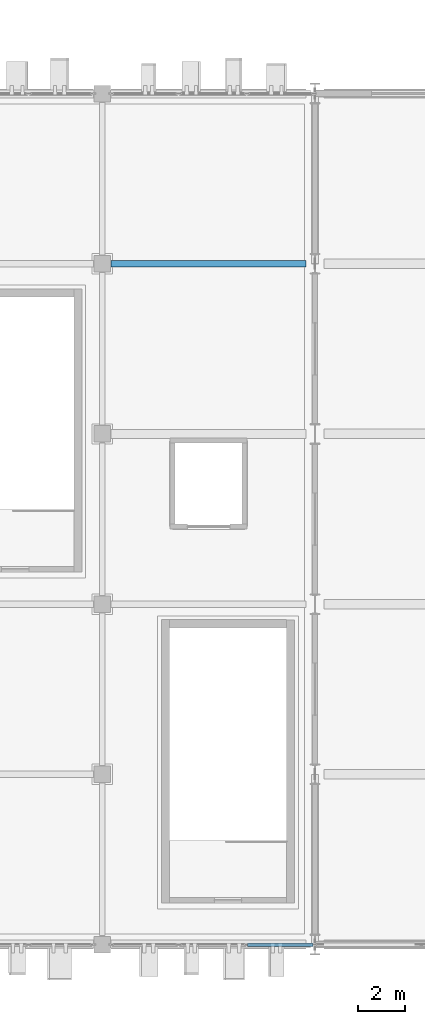
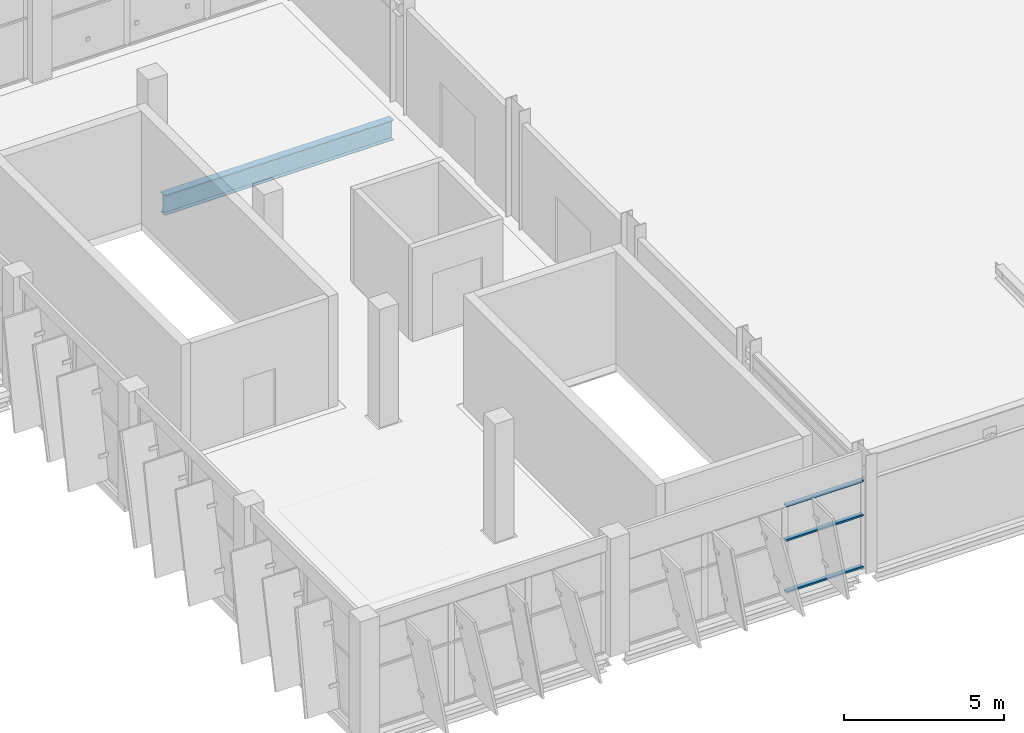
# One storey, part 40 of 151: 3 members, 1 beam, 1 element without a shape of its own.
"""IFC4 building model written with IfcOpenShell, lengths in metres."""

import ifcopenshell
import ifcopenshell.guid

model = None  # the IFC model being written
_history = None  # IfcOwnerHistory: only IFC2X3 demands one
_inside = {}  # id of a spatial element -> (the spatial element, [elements in it])
_under = {}  # id of a project, library or spatial element -> (it, [spatial elements below it])
_declared = {}  # id of a project -> (the project, [libraries it declares])
_typed = {}  # id of a type object -> (the type object, [elements of that type])
_made_of = {}  # id of a material, layer set ... -> (it, [elements and type objects made of it])


def new_model(schema):
    """Start an empty IFC model of exactly this schema.

    Asked for "IFC4X3", IfcOpenShell would pick the latest addendum, in which some entities
    have other attributes; the version numbers below select the first issue.
    IFC2X3 requires an IfcOwnerHistory on every rooted entity: one is made here for all.
    """
    global model, _history
    if schema == "IFC4X3":
        model = ifcopenshell.file(schema_version=(4, 3, 0, 0))
    else:
        model = ifcopenshell.file(schema=schema)
    _inside.clear()
    _under.clear()
    _declared.clear()
    _typed.clear()
    _made_of.clear()
    _history = None
    if model.schema == "IFC2X3":
        org = make("IfcOrganization", Name="unknown")
        user = make(
            "IfcPersonAndOrganization",
            ThePerson=make("IfcPerson", FamilyName="unknown"),
            TheOrganization=org,
        )
        app = make(
            "IfcApplication",
            ApplicationDeveloper=org,
            Version="unknown",
            ApplicationFullName="unknown",
            ApplicationIdentifier="unknown",
        )
        _history = make(
            "IfcOwnerHistory",
            OwningUser=user,
            OwningApplication=app,
            ChangeAction="ADDED",
            CreationDate=0,
        )
    return model


def make(cls, **values):
    """One entity of the class cls with the attributes given. An attribute that is None is left unset."""
    return model.create_entity(
        cls, **{name: value for name, value in values.items() if value is not None}
    )


def rooted(cls, **values):
    """An entity with a GlobalId (a new one), such as an element, a storey or a relation."""
    return make(cls, GlobalId=ifcopenshell.guid.new(), OwnerHistory=_history, **values)


def si_unit(unit_type, name, prefix=None):
    """IfcSIUnit, for example si_unit("LENGTHUNIT", "METRE", prefix="MILLI")."""
    return make("IfcSIUnit", UnitType=unit_type, Prefix=prefix, Name=name)


def assignment(units):
    """IfcUnitAssignment: the units of a project."""
    return None if units is None else make("IfcUnitAssignment", Units=units)


def point(xyz):
    """IfcCartesianPoint."""
    return None if xyz is None else make("IfcCartesianPoint", Coordinates=xyz)


def direction(xyz):
    """IfcDirection."""
    return None if xyz is None else make("IfcDirection", DirectionRatios=xyz)


def frame(location, z_axis=None, x_axis=None):
    """IfcAxis2Placement3D, a coordinate frame: its origin and axes. An axis left out is left unset."""
    return make(
        "IfcAxis2Placement3D",
        Location=point(location),
        Axis=direction(z_axis),
        RefDirection=direction(x_axis),
    )


def frame_2d(location, x_axis=None):
    """IfcAxis2Placement2D, a coordinate frame in the plane: its origin and x axis."""
    return make(
        "IfcAxis2Placement2D", Location=point(location), RefDirection=direction(x_axis)
    )


def origin():
    """The frame at (0, 0, 0) with its axes left unset."""
    return frame((0.0, 0.0, 0.0))


def origin_2d():
    """The frame at (0, 0) in the plane with its x axis left unset."""
    return frame_2d((0.0, 0.0))


def place(relative_to, where):
    """IfcLocalPlacement: puts the frame where relative to a parent placement (None: the world)."""
    return make(
        "IfcLocalPlacement", PlacementRelTo=relative_to, RelativePlacement=where
    )


def context(
    kind, dimensions, precision=None, world=None, true_north=None, identifier=None
):
    """IfcGeometricRepresentationContext, for example the 3D "Model" context."""
    return make(
        "IfcGeometricRepresentationContext",
        ContextIdentifier=identifier,
        ContextType=kind,
        CoordinateSpaceDimension=dimensions,
        Precision=precision,
        WorldCoordinateSystem=world,
        TrueNorth=true_north,
    )


def subcontext(parent, identifier, kind, view, scale=None):
    """IfcGeometricRepresentationSubContext, for example "Body" below "Model"."""
    return make(
        "IfcGeometricRepresentationSubContext",
        ContextIdentifier=identifier,
        ContextType=kind,
        ParentContext=parent,
        TargetScale=scale,
        TargetView=view,
    )


def project(units=None, contexts=None):
    """IfcProject with its units and contexts."""
    return rooted(
        "IfcProject",
        Name="project",
        RepresentationContexts=contexts,
        UnitsInContext=assignment(units),
    )


def spatial(cls, under=None, at=None, **own):
    """A site, building, storey or space (cls), placed at a placement, below another one or the project."""
    s = rooted(cls, ObjectPlacement=at, **own)
    if under is not None:
        _under.setdefault(under.id(), (under, []))[1].append(s)
    return s


def profile(cls, at=None, kind="AREA", **sizes):
    """A parametric profile (cls). Its sizes go by their IFC names, for example OverallWidth=200.0."""
    return make(cls, ProfileType=kind, Position=at, **sizes)


def hollow_rectangle(**sizes):
    """IfcRectangleHollowProfileDef."""
    return profile("IfcRectangleHollowProfileDef", **sizes)


def i_section(**sizes):
    """IfcIShapeProfileDef."""
    return profile("IfcIShapeProfileDef", **sizes)


def extrude(swept, where, along, depth):
    """IfcExtrudedAreaSolid: the profile swept, set in the frame where, extruded along a direction by depth."""
    return make(
        "IfcExtrudedAreaSolid",
        SweptArea=swept,
        Position=where,
        ExtrudedDirection=direction(along),
        Depth=depth,
    )


def shape(context_of_items, identifier, shape_type, items):
    """IfcShapeRepresentation: the items that make up one representation, for example the "Body"."""
    return make(
        "IfcShapeRepresentation",
        ContextOfItems=context_of_items,
        RepresentationIdentifier=identifier,
        RepresentationType=shape_type,
        Items=items,
    )


def material(Name=None, Category=None):
    """IfcMaterial."""
    return make("IfcMaterial", Name=Name, Category=Category)


def layer(
    of_material, thickness, ventilated=None, Name=None, Category=None, Priority=None
):
    """IfcMaterialLayer: one layer of a wall or slab, of a material (None: an air gap)."""
    return make(
        "IfcMaterialLayer",
        Material=of_material,
        LayerThickness=thickness,
        IsVentilated=ventilated,
        Name=Name,
        Category=Category,
        Priority=Priority,
    )


def layer_set(layers, Name=None):
    """IfcMaterialLayerSet."""
    return make("IfcMaterialLayerSet", MaterialLayers=layers, LayerSetName=Name)


def material_profile(
    of_material, cross_section, Name=None, Category=None, Priority=None
):
    """IfcMaterialProfile: a cross section and its material."""
    return make(
        "IfcMaterialProfile",
        Name=Name,
        Material=of_material,
        Profile=cross_section,
        Priority=Priority,
        Category=Category,
    )


def profile_set(profiles, Name=None, composite=None):
    """IfcMaterialProfileSet."""
    return make(
        "IfcMaterialProfileSet",
        Name=Name,
        MaterialProfiles=profiles,
        CompositeProfile=composite,
    )


def made_of(thing, what):
    """Note that an element or type object is made of a material, layer set ...; save() writes the relation."""
    if what is not None:
        _made_of.setdefault(what.id(), (what, []))[1].append(thing)
    return thing


def type_object(cls, material=None, **own):
    """A type object (cls), such as IfcWallType, which elements share."""
    return made_of(rooted(cls, **own), material)


def element(
    cls,
    number,
    at=None,
    inside=None,
    cuts=None,
    type_object=None,
    material=None,
    context=None,
    identifier="Body",
    shape_type=None,
    held_by="IfcProductDefinitionShape",
    body=None,
    shapes=None,
    **own,
):
    """One element of the class cls, such as IfcWall. Its Tag is "e" and its number.

    at: its placement. inside: the storey or other place that contains it. cuts: it is an
    opening in that element (IfcRelVoidsElement). A single representation is given by context,
    identifier, shape_type and body (its items); several are given by shapes. held_by: the class
    of the entity that holds the representations. save() writes the other relations.
    """
    e = rooted(cls, Tag="e%d" % number, ObjectPlacement=at, **own)
    if body is not None:
        shapes = [shape(context, identifier, shape_type, body)]
    if shapes is not None:
        e.Representation = make(held_by, Representations=shapes)
    if inside is not None:
        _inside.setdefault(inside.id(), (inside, []))[1].append(e)
    if cuts is not None:
        rooted(
            "IfcRelVoidsElement", RelatingBuildingElement=cuts, RelatedOpeningElement=e
        )
    if type_object is not None:
        _typed.setdefault(type_object.id(), (type_object, []))[1].append(e)
    return made_of(e, material)


def aggregate(whole, parts):
    """IfcRelAggregates: a whole, such as a stair, and the parts it consists of."""
    return rooted("IfcRelAggregates", RelatingObject=whole, RelatedObjects=parts)


def save(model, path):
    """Write the relations noted so far, then the file.

    IfcRelAggregates (storeys below a building ...), IfcRelContainedInSpatialStructure (elements
    in a storey), IfcRelDefinesByType, IfcRelAssociatesMaterial and IfcRelDeclares: one each for
    every whole, place, type object, material and project.
    """
    for whole, parts in _under.values():
        aggregate(whole, parts)
    for where, things in _inside.values():
        rooted(
            "IfcRelContainedInSpatialStructure",
            RelatedElements=things,
            RelatingStructure=where,
        )
    for kind, things in _typed.values():
        rooted("IfcRelDefinesByType", RelatedObjects=things, RelatingType=kind)
    for what, things in _made_of.values():
        rooted("IfcRelAssociatesMaterial", RelatedObjects=things, RelatingMaterial=what)
    for by, libraries in _declared.values():
        rooted("IfcRelDeclares", RelatingContext=by, RelatedDefinitions=libraries)
    model.write(path)


model = new_model("IFC4")

# Units and contexts
model_context = context("Model", 3, precision=1e-05, world=origin(), true_north=direction((0.0, 1.0)))
body_context = subcontext(model_context, "Body", "Model", "MODEL_VIEW")
ifc_project = project(units=[si_unit("LENGTHUNIT", "METRE"), si_unit("AREAUNIT", "SQUARE_METRE"), si_unit("VOLUMEUNIT", "CUBIC_METRE"), si_unit("PLANEANGLEUNIT", "RADIAN"), si_unit("MASSUNIT", "GRAM", prefix="KILO")], contexts=[model_context])

# Site, building, storey
site_placement = place(None, origin())
site = spatial("IfcSite", under=ifc_project, at=site_placement, CompositionType="ELEMENT")
building_placement = place(site_placement, origin())
building = spatial("IfcBuilding", under=site, at=building_placement, Name="Celestram Park Convention Centre", CompositionType="ELEMENT")
storey_placement = place(building_placement, frame((0.0, 0.0, 10.800048828125)))
storey = spatial("IfcBuildingStorey", under=building, at=storey_placement, Name="L02", CompositionType="ELEMENT", Elevation=10.800048828125)

# Curtain wall, members
ifc_material_1 = material(Name="Anodised Aluminium Alloy 6063-T6", Category="aluminium")
ifc_layer = layer(ifc_material_1, 0.179931640625)
ifc_layer_set = layer_set([ifc_layer], Name="Anodised Aluminium Alloy 6063-T6")
curtain_wall_type = type_object("IfcCurtainWallType", Name="ARC-CW-864X334", PredefinedType="NOTDEFINED", material=ifc_layer_set)
curtain_wall_placement = place(storey_placement, origin())
curtain_wall = element("IfcCurtainWall", 1, at=curtain_wall_placement, inside=storey, type_object=curtain_wall_type, Name="Unitised curtain wall CU-L02-137", PredefinedType="NOTDEFINED")
ifc_material_profile_1 = material_profile(ifc_material_1, hollow_rectangle(XDim=0.14990234375, YDim=0.06494140625, WallThickness=0.0029296875, at=origin_2d()), Name="ALU150X65X3")
ifc_profile_set_1 = profile_set([ifc_material_profile_1], Name="Anodised Aluminium Alloy 6063-T6")
member_type = type_object("IfcMemberType", Name="ARC-CWT-150", PredefinedType="USERDEFINED", material=ifc_profile_set_1)
member_1_placement = place(storey_placement, frame((161.91796875, 0.0, 0.032470703125), z_axis=(-1.0, 0.0, 0.0), x_axis=(0.0, -1.0, 0.0)))
member_1 = element("IfcMember", 2, at=member_1_placement, type_object=member_type, Name="CW-86X33 transom 1.1", ObjectType="TRANSOM", PredefinedType="USERDEFINED", context=body_context, shape_type="SweptSolid", body=[
    extrude(hollow_rectangle(XDim=0.14990234375, YDim=0.06494140625, WallThickness=0.0029296875, at=origin_2d()), origin(), (0.0, 0.0, 1.0), 2.769287109375),
])
member_2_placement = place(storey_placement, frame((161.91796875, 0.0, 2.001953125), z_axis=(-1.0, 0.0, 0.0), x_axis=(0.0, -1.0, 0.0)))
member_2 = element("IfcMember", 3, at=member_2_placement, type_object=member_type, Name="CW-86X33 transom 1.2", ObjectType="TRANSOM", PredefinedType="USERDEFINED", context=body_context, shape_type="SweptSolid", body=[
    extrude(hollow_rectangle(XDim=0.14990234375, YDim=0.06494140625, WallThickness=0.0029296875, at=origin_2d()), origin(), (0.0, 0.0, 1.0), 2.769287109375),
])
member_3_placement = place(storey_placement, frame((161.91796875, 0.0, 3.303466796875), z_axis=(-1.0, 0.0, 0.0), x_axis=(0.0, -1.0, 0.0)))
member_3 = element("IfcMember", 4, at=member_3_placement, type_object=member_type, Name="CW-86X33 transom 1.3", ObjectType="TRANSOM", PredefinedType="USERDEFINED", context=body_context, shape_type="SweptSolid", body=[
    extrude(hollow_rectangle(XDim=0.14990234375, YDim=0.06494140625, WallThickness=0.0029296875, at=origin_2d()), origin(), (0.0, 0.0, 1.0), 2.769287109375),
])
aggregate(curtain_wall, [member_1, member_2, member_3])

# Beam
ifc_material_2 = material(Name="Steel ASTM A992 Grade 50", Category="steel")
ifc_material_profile_2 = material_profile(ifc_material_2, i_section(OverallWidth=0.26708984375, OverallDepth=0.761962890625, WebThickness=0.014404296875, FlangeThickness=0.021484375, at=origin_2d()), Name="W30X116")
ifc_profile_set_2 = profile_set([ifc_material_profile_2], Name="Steel ASTM A992 Grade 50")
beam_type = type_object("IfcBeamType", Name="STR-BM-W30X116", PredefinedType="BEAM", material=ifc_profile_set_2)
beam_placement = place(storey_placement, frame((153.373046875, 28.800048828125, -0.6611328125), z_axis=(1.0, 0.0, 0.0), x_axis=(0.0, 1.0, 0.0)))
element("IfcBeam", 5, at=beam_placement, inside=storey, type_object=beam_type, Name="Primary X-girder BG-L02-0272", PredefinedType="BEAM", context=body_context, shape_type="SweptSolid", body=[
    extrude(i_section(OverallWidth=0.26708984375, OverallDepth=0.761962890625, WebThickness=0.014404296875, FlangeThickness=0.021484375, at=origin_2d()), origin(), (0.0, 0.0, 1.0), 8.25390625),
])

save(model, "model.ifc")
